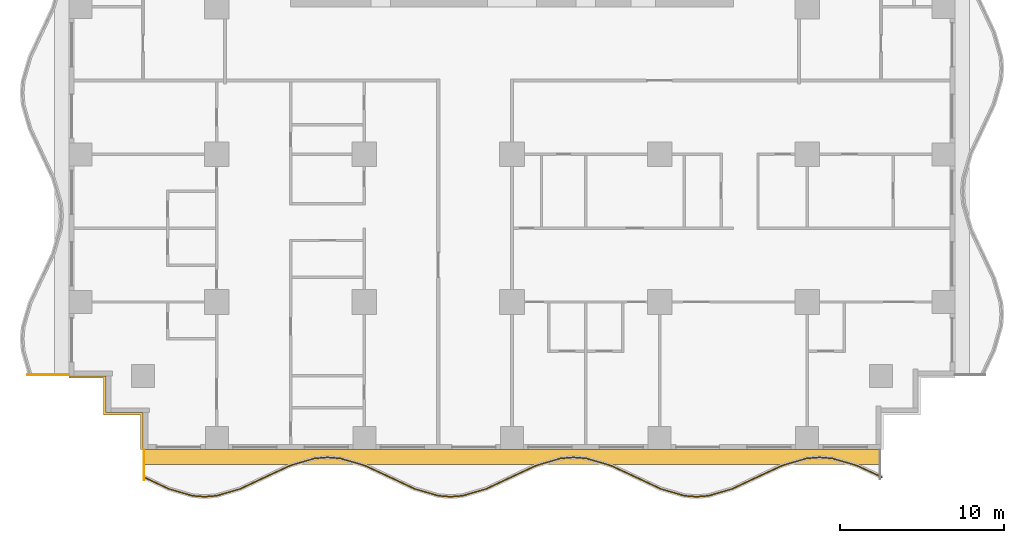
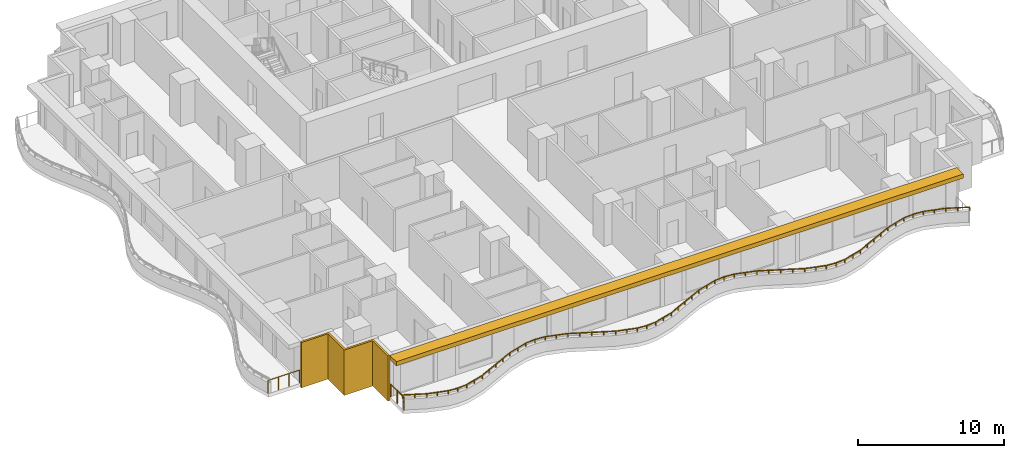
# One storey, part 8 of 14: 3 railings, 2 shading devices.
"""IFC4 building model written with IfcOpenShell, lengths in metres."""

from ifc_helpers import new_model, si_unit, direction, frame, origin, origin_2d, place, context, subcontext, project, spatial, polyline, rectangle, outline, extrude, material, layer, layer_set, type_object, element, save


model = new_model("IFC4")

# Units and contexts
model_context = context("Model", 3, precision=1e-05, world=origin(), true_north=direction((0.0, 1.0)))
body_context = subcontext(model_context, "Body", "Model", "MODEL_VIEW")
ifc_project = project(units=[si_unit("LENGTHUNIT", "METRE"), si_unit("AREAUNIT", "SQUARE_METRE"), si_unit("VOLUMEUNIT", "CUBIC_METRE"), si_unit("PLANEANGLEUNIT", "RADIAN"), si_unit("MASSUNIT", "GRAM", prefix="KILO")], contexts=[model_context])

# Site, building, storey
site_placement = place(None, origin())
site = spatial("IfcSite", under=ifc_project, at=site_placement, CompositionType="ELEMENT")
building_placement = place(site_placement, origin())
building = spatial("IfcBuilding", under=site, at=building_placement, Name="Orbiselva Terraces", CompositionType="ELEMENT")
storey_placement = place(building_placement, frame((0.0, 0.0, 45.4)))
storey = spatial("IfcBuildingStorey", under=building, at=storey_placement, Name="L11", CompositionType="ELEMENT", Elevation=45.4)

# Railings
ifc_material_1 = material(Name="Bonded two-ply safety glass balustrade, stainless steel posts", Category="steel")
railing_type_1 = type_object("IfcRailingType", Name="ENV-BALUSTRADE-1200", PredefinedType="BALUSTRADE", material=ifc_material_1)
railing_1_placement = place(storey_placement, frame((-22.446809, -24.186882, 0.9)))
element("IfcRailing", 1, at=railing_1_placement, inside=storey, type_object=railing_type_1, Name="Balcony balustrade L11 S", PredefinedType="BALUSTRADE", context=body_context, shape_type="SweptSolid", body=[
    extrude(outline(polyline([(0.028868, 0.0), (0.014434, 0.025), (-0.014434, 0.025), (-0.028868, 0.0), (-0.014434, -0.025), (0.014434, -0.025), (0.028868, 0.0)])), frame((0.0, 0.0, 0.275), z_axis=(0.904944359461, -0.425529912322, 0.0), x_axis=(0.425529912322, 0.904944359461, 0.0)), (0.0, 0.0, 1.0), 1.647746),
    extrude(outline(polyline([(0.028868, 0.0), (0.014434, 0.025), (-0.014434, 0.025), (-0.028868, 0.0), (-0.014434, -0.025), (0.014434, -0.025), (0.028868, 0.0)])), frame((1.491118, -0.701165, 0.275), z_axis=(0.960270317007, -0.279071528957, 0.0), x_axis=(0.279071528957, 0.960270317007, 0.0)), (0.0, 0.0, 1.0), 1.539408),
    extrude(outline(polyline([(0.028868, 0.0), (0.014434, 0.025), (-0.014434, 0.025), (-0.028868, 0.0), (-0.014434, -0.025), (0.014434, -0.025), (0.028868, 0.0)])), frame((2.969366, -1.13077, 0.275), z_axis=(0.996947916106, -0.078069536776, 0.0), x_axis=(0.078069536776, 0.996947916106, 0.0)), (0.0, 0.0, 1.0), 0.72967),
    extrude(outline(polyline([(0.028868, 0.0), (0.014434, 0.025), (-0.014434, 0.025), (-0.028868, 0.0), (-0.014434, -0.025), (0.014434, -0.025), (0.028868, 0.0)])), frame((3.696809, -1.187735, 0.275), z_axis=(0.996947916106, 0.078069536776, 0.0), x_axis=(-0.078069536776, 0.996947916106, 0.0)), (0.0, 0.0, 1.0), 0.72967),
    extrude(outline(polyline([(0.028868, 0.0), (0.014434, 0.025), (-0.014434, 0.025), (-0.028868, 0.0), (-0.014434, -0.025), (0.014434, -0.025), (0.028868, 0.0)])), frame((4.424252, -1.13077, 0.275), z_axis=(0.960270317007, 0.279071528957, 0.0), x_axis=(-0.279071528957, 0.960270317007, 0.0)), (0.0, 0.0, 1.0), 1.539408),
    extrude(outline(polyline([(0.028868, 0.0), (0.014434, 0.025), (-0.014434, 0.025), (-0.028868, 0.0), (-0.014434, -0.025), (0.014434, -0.025), (0.028868, 0.0)])), frame((5.9025, -0.701165, 0.275), z_axis=(0.904944359461, 0.425529912322, 0.0), x_axis=(-0.425529912322, 0.904944359461, 0.0)), (0.0, 0.0, 1.0), 1.647746),
    extrude(outline(polyline([(0.028868, 0.0), (0.014434, 0.025), (-0.014434, 0.025), (-0.028868, 0.0), (-0.014434, -0.025), (0.014434, -0.025), (0.028868, 0.0)])), frame((7.393618, 0.0, 0.275), z_axis=(0.904944157382, 0.425530342069, 0.0), x_axis=(-0.425530342069, 0.904944157382, 0.0)), (0.0, 0.0, 1.0), 1.667376),
    extrude(outline(polyline([(0.028868, 0.0), (0.014434, 0.025), (-0.014434, 0.025), (-0.028868, 0.0), (-0.014434, -0.025), (0.014434, -0.025), (0.028868, 0.0)])), frame((8.9025, 0.709519, 0.275), z_axis=(0.960270491427, 0.279070928786, 0.0), x_axis=(-0.279070928786, 0.960270491427, 0.0)), (0.0, 0.0, 1.0), 1.584712),
    extrude(outline(polyline([(0.028868, 0.0), (0.014434, 0.025), (-0.014434, 0.025), (-0.028868, 0.0), (-0.014434, -0.025), (0.014434, -0.025), (0.028868, 0.0)])), frame((10.424252, 1.151766, 0.275), z_axis=(0.996947796737, 0.078071061106, 0.0), x_axis=(-0.078071061106, 0.996947796737, 0.0)), (0.0, 0.0, 1.0), 0.774922),
    extrude(outline(polyline([(0.028868, 0.0), (0.014434, 0.025), (-0.014434, 0.025), (-0.028868, 0.0), (-0.014434, -0.025), (0.014434, -0.025), (0.028868, 0.0)])), frame((11.196809, 1.212265, 0.275), z_axis=(0.996947796737, -0.078071061106, 0.0), x_axis=(0.078071061106, 0.996947796737, 0.0)), (0.0, 0.0, 1.0), 0.774922),
    extrude(outline(polyline([(0.028868, 0.0), (0.014434, 0.025), (-0.014434, 0.025), (-0.028868, 0.0), (-0.014434, -0.025), (0.014434, -0.025), (0.028868, 0.0)])), frame((11.969366, 1.151766, 0.275), z_axis=(0.960270491427, -0.279070928786, 0.0), x_axis=(0.279070928786, 0.960270491427, 0.0)), (0.0, 0.0, 1.0), 1.584712),
    extrude(outline(polyline([(0.028868, 0.0), (0.014434, 0.025), (-0.014434, 0.025), (-0.028868, 0.0), (-0.014434, -0.025), (0.014434, -0.025), (0.028868, 0.0)])), frame((13.491118, 0.709519, 0.275), z_axis=(0.904944157382, -0.425530342069, 0.0), x_axis=(0.425530342069, 0.904944157382, 0.0)), (0.0, 0.0, 1.0), 1.667376),
    extrude(outline(polyline([(0.028868, 0.0), (0.014434, 0.025), (-0.014434, 0.025), (-0.028868, 0.0), (-0.014434, -0.025), (0.014434, -0.025), (0.028868, 0.0)])), frame((15.0, 0.0, 0.275), z_axis=(0.904944359461, -0.425529912322, 0.0), x_axis=(0.425529912322, 0.904944359461, 0.0)), (0.0, 0.0, 1.0), 1.647746),
    extrude(outline(polyline([(0.028868, 0.0), (0.014434, 0.025), (-0.014434, 0.025), (-0.028868, 0.0), (-0.014434, -0.025), (0.014434, -0.025), (0.028868, 0.0)])), frame((16.491118, -0.701165, 0.275), z_axis=(0.960270317007, -0.279071528957, 0.0), x_axis=(0.279071528957, 0.960270317007, 0.0)), (0.0, 0.0, 1.0), 1.539408),
    extrude(outline(polyline([(0.028868, 0.0), (0.014434, 0.025), (-0.014434, 0.025), (-0.028868, 0.0), (-0.014434, -0.025), (0.014434, -0.025), (0.028868, 0.0)])), frame((17.969366, -1.13077, 0.275), z_axis=(0.996947916106, -0.078069536776, 0.0), x_axis=(0.078069536776, 0.996947916106, 0.0)), (0.0, 0.0, 1.0), 0.72967),
    extrude(outline(polyline([(0.028868, 0.0), (0.014434, 0.025), (-0.014434, 0.025), (-0.028868, 0.0), (-0.014434, -0.025), (0.014434, -0.025), (0.028868, 0.0)])), frame((18.696809, -1.187735, 0.275), z_axis=(0.996947916106, 0.078069536776, 0.0), x_axis=(-0.078069536776, 0.996947916106, 0.0)), (0.0, 0.0, 1.0), 0.72967),
    extrude(outline(polyline([(0.028868, 0.0), (0.014434, 0.025), (-0.014434, 0.025), (-0.028868, 0.0), (-0.014434, -0.025), (0.014434, -0.025), (0.028868, 0.0)])), frame((19.424252, -1.13077, 0.275), z_axis=(0.960270317007, 0.279071528957, 0.0), x_axis=(-0.279071528957, 0.960270317007, 0.0)), (0.0, 0.0, 1.0), 1.539408),
    extrude(outline(polyline([(0.028868, 0.0), (0.014434, 0.025), (-0.014434, 0.025), (-0.028868, 0.0), (-0.014434, -0.025), (0.014434, -0.025), (0.028868, 0.0)])), frame((20.9025, -0.701165, 0.275), z_axis=(0.904944359461, 0.425529912322, 0.0), x_axis=(-0.425529912322, 0.904944359461, 0.0)), (0.0, 0.0, 1.0), 1.647746),
    extrude(outline(polyline([(0.028868, 0.0), (0.014434, 0.025), (-0.014434, 0.025), (-0.028868, 0.0), (-0.014434, -0.025), (0.014434, -0.025), (0.028868, 0.0)])), frame((22.393618, 0.0, 0.275), z_axis=(0.904944157382, 0.425530342069, 0.0), x_axis=(-0.425530342069, 0.904944157382, 0.0)), (0.0, 0.0, 1.0), 1.667376),
    extrude(outline(polyline([(0.028868, 0.0), (0.014434, 0.025), (-0.014434, 0.025), (-0.028868, 0.0), (-0.014434, -0.025), (0.014434, -0.025), (0.028868, 0.0)])), frame((23.9025, 0.709519, 0.275), z_axis=(0.960270491427, 0.279070928786, 0.0), x_axis=(-0.279070928786, 0.960270491427, 0.0)), (0.0, 0.0, 1.0), 1.584712),
    extrude(outline(polyline([(0.028868, 0.0), (0.014434, 0.025), (-0.014434, 0.025), (-0.028868, 0.0), (-0.014434, -0.025), (0.014434, -0.025), (0.028868, 0.0)])), frame((25.424252, 1.151766, 0.275), z_axis=(0.996947796737, 0.078071061106, 0.0), x_axis=(-0.078071061106, 0.996947796737, 0.0)), (0.0, 0.0, 1.0), 0.774922),
    extrude(outline(polyline([(0.028868, 0.0), (0.014434, 0.025), (-0.014434, 0.025), (-0.028868, 0.0), (-0.014434, -0.025), (0.014434, -0.025), (0.028868, 0.0)])), frame((26.196809, 1.212265, 0.275), z_axis=(0.996947796737, -0.078071061106, 0.0), x_axis=(0.078071061106, 0.996947796737, 0.0)), (0.0, 0.0, 1.0), 0.774922),
    extrude(outline(polyline([(0.028868, 0.0), (0.014434, 0.025), (-0.014434, 0.025), (-0.028868, 0.0), (-0.014434, -0.025), (0.014434, -0.025), (0.028868, 0.0)])), frame((26.969366, 1.151766, 0.275), z_axis=(0.960270491427, -0.279070928786, 0.0), x_axis=(0.279070928786, 0.960270491427, 0.0)), (0.0, 0.0, 1.0), 1.584712),
    extrude(outline(polyline([(0.028868, 0.0), (0.014434, 0.025), (-0.014434, 0.025), (-0.028868, 0.0), (-0.014434, -0.025), (0.014434, -0.025), (0.028868, 0.0)])), frame((28.491118, 0.709519, 0.275), z_axis=(0.904944157382, -0.425530342069, 0.0), x_axis=(0.425530342069, 0.904944157382, 0.0)), (0.0, 0.0, 1.0), 1.667376),
    extrude(outline(polyline([(0.028868, 0.0), (0.014434, 0.025), (-0.014434, 0.025), (-0.028868, 0.0), (-0.014434, -0.025), (0.014434, -0.025), (0.028868, 0.0)])), frame((30.0, 0.0, 0.275), z_axis=(0.904944359461, -0.425529912322, 0.0), x_axis=(0.425529912322, 0.904944359461, 0.0)), (0.0, 0.0, 1.0), 1.647746),
    extrude(outline(polyline([(0.028868, 0.0), (0.014434, 0.025), (-0.014434, 0.025), (-0.028868, 0.0), (-0.014434, -0.025), (0.014434, -0.025), (0.028868, 0.0)])), frame((31.491118, -0.701165, 0.275), z_axis=(0.960270317007, -0.279071528957, 0.0), x_axis=(0.279071528957, 0.960270317007, 0.0)), (0.0, 0.0, 1.0), 1.539408),
    extrude(outline(polyline([(0.028868, 0.0), (0.014434, 0.025), (-0.014434, 0.025), (-0.028868, 0.0), (-0.014434, -0.025), (0.014434, -0.025), (0.028868, 0.0)])), frame((32.969366, -1.13077, 0.275), z_axis=(0.996947916106, -0.078069536776, 0.0), x_axis=(0.078069536776, 0.996947916106, 0.0)), (0.0, 0.0, 1.0), 0.72967),
    extrude(outline(polyline([(0.028868, 0.0), (0.014434, 0.025), (-0.014434, 0.025), (-0.028868, 0.0), (-0.014434, -0.025), (0.014434, -0.025), (0.028868, 0.0)])), frame((33.696809, -1.187735, 0.275), z_axis=(0.996947916106, 0.078069536776, 0.0), x_axis=(-0.078069536776, 0.996947916106, 0.0)), (0.0, 0.0, 1.0), 0.72967),
    extrude(outline(polyline([(0.028868, 0.0), (0.014434, 0.025), (-0.014434, 0.025), (-0.028868, 0.0), (-0.014434, -0.025), (0.014434, -0.025), (0.028868, 0.0)])), frame((34.424252, -1.13077, 0.275), z_axis=(0.960270317007, 0.279071528957, 0.0), x_axis=(-0.279071528957, 0.960270317007, 0.0)), (0.0, 0.0, 1.0), 1.539408),
    extrude(outline(polyline([(0.028868, 0.0), (0.014434, 0.025), (-0.014434, 0.025), (-0.028868, 0.0), (-0.014434, -0.025), (0.014434, -0.025), (0.028868, 0.0)])), frame((35.9025, -0.701165, 0.275), z_axis=(0.904944359461, 0.425529912322, 0.0), x_axis=(-0.425529912322, 0.904944359461, 0.0)), (0.0, 0.0, 1.0), 1.647746),
    extrude(outline(polyline([(0.028868, 0.0), (0.014434, 0.025), (-0.014434, 0.025), (-0.028868, 0.0), (-0.014434, -0.025), (0.014434, -0.025), (0.028868, 0.0)])), frame((37.393618, 0.0, 0.275), z_axis=(0.904944157382, 0.425530342069, 0.0), x_axis=(-0.425530342069, 0.904944157382, 0.0)), (0.0, 0.0, 1.0), 1.667376),
    extrude(outline(polyline([(0.028868, 0.0), (0.014434, 0.025), (-0.014434, 0.025), (-0.028868, 0.0), (-0.014434, -0.025), (0.014434, -0.025), (0.028868, 0.0)])), frame((38.9025, 0.709519, 0.275), z_axis=(0.960270491427, 0.279070928786, 0.0), x_axis=(-0.279070928786, 0.960270491427, 0.0)), (0.0, 0.0, 1.0), 1.584712),
    extrude(outline(polyline([(0.028868, 0.0), (0.014434, 0.025), (-0.014434, 0.025), (-0.028868, 0.0), (-0.014434, -0.025), (0.014434, -0.025), (0.028868, 0.0)])), frame((40.424252, 1.151766, 0.275), z_axis=(0.996947796737, 0.078071061106, 0.0), x_axis=(-0.078071061106, 0.996947796737, 0.0)), (0.0, 0.0, 1.0), 0.774922),
    extrude(outline(polyline([(0.028868, 0.0), (0.014434, 0.025), (-0.014434, 0.025), (-0.028868, 0.0), (-0.014434, -0.025), (0.014434, -0.025), (0.028868, 0.0)])), frame((41.196809, 1.212265, 0.275), z_axis=(0.996947796737, -0.078071061106, 0.0), x_axis=(0.078071061106, 0.996947796737, 0.0)), (0.0, 0.0, 1.0), 0.774922),
    extrude(outline(polyline([(0.028868, 0.0), (0.014434, 0.025), (-0.014434, 0.025), (-0.028868, 0.0), (-0.014434, -0.025), (0.014434, -0.025), (0.028868, 0.0)])), frame((41.969366, 1.151766, 0.275), z_axis=(0.960270491427, -0.279070928786, 0.0), x_axis=(0.279070928786, 0.960270491427, 0.0)), (0.0, 0.0, 1.0), 1.584712),
    extrude(outline(polyline([(0.028868, 0.0), (0.014434, 0.025), (-0.014434, 0.025), (-0.028868, 0.0), (-0.014434, -0.025), (0.014434, -0.025), (0.028868, 0.0)])), frame((43.491118, 0.709519, 0.275), z_axis=(0.904944157382, -0.425530342069, 0.0), x_axis=(0.425530342069, 0.904944157382, 0.0)), (0.0, 0.0, 1.0), 1.667376),
    extrude(rectangle(XDim=0.05, YDim=0.05, at=origin_2d()), origin(), (0.0, 0.0, 1.0), 0.25),
    extrude(rectangle(XDim=0.05, YDim=0.05, at=origin_2d()), frame((0.745559, -0.350582, 0.0)), (0.0, 0.0, 1.0), 0.25),
    extrude(rectangle(XDim=0.05, YDim=0.05, at=origin_2d()), frame((1.491118, -0.701165, 0.0)), (0.0, 0.0, 1.0), 0.25),
    extrude(rectangle(XDim=0.05, YDim=0.05, at=origin_2d()), frame((2.230242, -0.915967, 0.0)), (0.0, 0.0, 1.0), 0.25),
    extrude(rectangle(XDim=0.05, YDim=0.05, at=origin_2d()), frame((2.969366, -1.13077, 0.0)), (0.0, 0.0, 1.0), 0.25),
    extrude(rectangle(XDim=0.05, YDim=0.05, at=origin_2d()), frame((3.696809, -1.187735, 0.0)), (0.0, 0.0, 1.0), 0.25),
    extrude(rectangle(XDim=0.05, YDim=0.05, at=origin_2d()), frame((4.424252, -1.13077, 0.0)), (0.0, 0.0, 1.0), 0.25),
    extrude(rectangle(XDim=0.05, YDim=0.05, at=origin_2d()), frame((5.163376, -0.915967, 0.0)), (0.0, 0.0, 1.0), 0.25),
    extrude(rectangle(XDim=0.05, YDim=0.05, at=origin_2d()), frame((5.9025, -0.701165, 0.0)), (0.0, 0.0, 1.0), 0.25),
    extrude(rectangle(XDim=0.05, YDim=0.05, at=origin_2d()), frame((6.648059, -0.350582, 0.0)), (0.0, 0.0, 1.0), 0.25),
    extrude(rectangle(XDim=0.05, YDim=0.05, at=origin_2d()), frame((7.393618, 0.0, 0.0)), (0.0, 0.0, 1.0), 0.25),
    extrude(rectangle(XDim=0.05, YDim=0.05, at=origin_2d()), frame((8.148059, 0.35476, 0.0)), (0.0, 0.0, 1.0), 0.25),
    extrude(rectangle(XDim=0.05, YDim=0.05, at=origin_2d()), frame((8.9025, 0.709519, 0.0)), (0.0, 0.0, 1.0), 0.25),
    extrude(rectangle(XDim=0.05, YDim=0.05, at=origin_2d()), frame((9.663376, 0.930643, 0.0)), (0.0, 0.0, 1.0), 0.25),
    extrude(rectangle(XDim=0.05, YDim=0.05, at=origin_2d()), frame((10.424252, 1.151766, 0.0)), (0.0, 0.0, 1.0), 0.25),
    extrude(rectangle(XDim=0.05, YDim=0.05, at=origin_2d()), frame((11.196809, 1.212265, 0.0)), (0.0, 0.0, 1.0), 0.25),
    extrude(rectangle(XDim=0.05, YDim=0.05, at=origin_2d()), frame((11.969366, 1.151766, 0.0)), (0.0, 0.0, 1.0), 0.25),
    extrude(rectangle(XDim=0.05, YDim=0.05, at=origin_2d()), frame((12.730242, 0.930643, 0.0)), (0.0, 0.0, 1.0), 0.25),
    extrude(rectangle(XDim=0.05, YDim=0.05, at=origin_2d()), frame((13.491118, 0.709519, 0.0)), (0.0, 0.0, 1.0), 0.25),
    extrude(rectangle(XDim=0.05, YDim=0.05, at=origin_2d()), frame((14.245559, 0.35476, 0.0)), (0.0, 0.0, 1.0), 0.25),
    extrude(rectangle(XDim=0.05, YDim=0.05, at=origin_2d()), frame((15.0, 0.0, 0.0)), (0.0, 0.0, 1.0), 0.25),
    extrude(rectangle(XDim=0.05, YDim=0.05, at=origin_2d()), frame((15.745559, -0.350582, 0.0)), (0.0, 0.0, 1.0), 0.25),
    extrude(rectangle(XDim=0.05, YDim=0.05, at=origin_2d()), frame((16.491118, -0.701165, 0.0)), (0.0, 0.0, 1.0), 0.25),
    extrude(rectangle(XDim=0.05, YDim=0.05, at=origin_2d()), frame((17.230242, -0.915967, 0.0)), (0.0, 0.0, 1.0), 0.25),
    extrude(rectangle(XDim=0.05, YDim=0.05, at=origin_2d()), frame((17.969366, -1.13077, 0.0)), (0.0, 0.0, 1.0), 0.25),
    extrude(rectangle(XDim=0.05, YDim=0.05, at=origin_2d()), frame((18.696809, -1.187735, 0.0)), (0.0, 0.0, 1.0), 0.25),
    extrude(rectangle(XDim=0.05, YDim=0.05, at=origin_2d()), frame((19.424252, -1.13077, 0.0)), (0.0, 0.0, 1.0), 0.25),
    extrude(rectangle(XDim=0.05, YDim=0.05, at=origin_2d()), frame((20.163376, -0.915967, 0.0)), (0.0, 0.0, 1.0), 0.25),
    extrude(rectangle(XDim=0.05, YDim=0.05, at=origin_2d()), frame((20.9025, -0.701165, 0.0)), (0.0, 0.0, 1.0), 0.25),
    extrude(rectangle(XDim=0.05, YDim=0.05, at=origin_2d()), frame((21.648059, -0.350582, 0.0)), (0.0, 0.0, 1.0), 0.25),
    extrude(rectangle(XDim=0.05, YDim=0.05, at=origin_2d()), frame((22.393618, 0.0, 0.0)), (0.0, 0.0, 1.0), 0.25),
    extrude(rectangle(XDim=0.05, YDim=0.05, at=origin_2d()), frame((23.148059, 0.35476, 0.0)), (0.0, 0.0, 1.0), 0.25),
    extrude(rectangle(XDim=0.05, YDim=0.05, at=origin_2d()), frame((23.9025, 0.709519, 0.0)), (0.0, 0.0, 1.0), 0.25),
    extrude(rectangle(XDim=0.05, YDim=0.05, at=origin_2d()), frame((24.663376, 0.930643, 0.0)), (0.0, 0.0, 1.0), 0.25),
    extrude(rectangle(XDim=0.05, YDim=0.05, at=origin_2d()), frame((25.424252, 1.151766, 0.0)), (0.0, 0.0, 1.0), 0.25),
    extrude(rectangle(XDim=0.05, YDim=0.05, at=origin_2d()), frame((26.196809, 1.212265, 0.0)), (0.0, 0.0, 1.0), 0.25),
    extrude(rectangle(XDim=0.05, YDim=0.05, at=origin_2d()), frame((26.969366, 1.151766, 0.0)), (0.0, 0.0, 1.0), 0.25),
    extrude(rectangle(XDim=0.05, YDim=0.05, at=origin_2d()), frame((27.730242, 0.930643, 0.0)), (0.0, 0.0, 1.0), 0.25),
    extrude(rectangle(XDim=0.05, YDim=0.05, at=origin_2d()), frame((28.491118, 0.709519, 0.0)), (0.0, 0.0, 1.0), 0.25),
    extrude(rectangle(XDim=0.05, YDim=0.05, at=origin_2d()), frame((29.245559, 0.35476, 0.0)), (0.0, 0.0, 1.0), 0.25),
    extrude(rectangle(XDim=0.05, YDim=0.05, at=origin_2d()), frame((30.0, 0.0, 0.0)), (0.0, 0.0, 1.0), 0.25),
    extrude(rectangle(XDim=0.05, YDim=0.05, at=origin_2d()), frame((30.745559, -0.350582, 0.0)), (0.0, 0.0, 1.0), 0.25),
    extrude(rectangle(XDim=0.05, YDim=0.05, at=origin_2d()), frame((31.491118, -0.701165, 0.0)), (0.0, 0.0, 1.0), 0.25),
    extrude(rectangle(XDim=0.05, YDim=0.05, at=origin_2d()), frame((32.230242, -0.915967, 0.0)), (0.0, 0.0, 1.0), 0.25),
    extrude(rectangle(XDim=0.05, YDim=0.05, at=origin_2d()), frame((32.969366, -1.13077, 0.0)), (0.0, 0.0, 1.0), 0.25),
    extrude(rectangle(XDim=0.05, YDim=0.05, at=origin_2d()), frame((33.696809, -1.187735, 0.0)), (0.0, 0.0, 1.0), 0.25),
    extrude(rectangle(XDim=0.05, YDim=0.05, at=origin_2d()), frame((34.424252, -1.13077, 0.0)), (0.0, 0.0, 1.0), 0.25),
    extrude(rectangle(XDim=0.05, YDim=0.05, at=origin_2d()), frame((35.163376, -0.915967, 0.0)), (0.0, 0.0, 1.0), 0.25),
    extrude(rectangle(XDim=0.05, YDim=0.05, at=origin_2d()), frame((35.9025, -0.701165, 0.0)), (0.0, 0.0, 1.0), 0.25),
    extrude(rectangle(XDim=0.05, YDim=0.05, at=origin_2d()), frame((36.648059, -0.350582, 0.0)), (0.0, 0.0, 1.0), 0.25),
    extrude(rectangle(XDim=0.05, YDim=0.05, at=origin_2d()), frame((37.393618, 0.0, 0.0)), (0.0, 0.0, 1.0), 0.25),
    extrude(rectangle(XDim=0.05, YDim=0.05, at=origin_2d()), frame((38.148059, 0.35476, 0.0)), (0.0, 0.0, 1.0), 0.25),
    extrude(rectangle(XDim=0.05, YDim=0.05, at=origin_2d()), frame((38.9025, 0.709519, 0.0)), (0.0, 0.0, 1.0), 0.25),
    extrude(rectangle(XDim=0.05, YDim=0.05, at=origin_2d()), frame((39.663376, 0.930643, 0.0)), (0.0, 0.0, 1.0), 0.25),
    extrude(rectangle(XDim=0.05, YDim=0.05, at=origin_2d()), frame((40.424252, 1.151766, 0.0)), (0.0, 0.0, 1.0), 0.25),
    extrude(rectangle(XDim=0.05, YDim=0.05, at=origin_2d()), frame((41.196809, 1.212265, 0.0)), (0.0, 0.0, 1.0), 0.25),
    extrude(rectangle(XDim=0.05, YDim=0.05, at=origin_2d()), frame((41.969366, 1.151766, 0.0)), (0.0, 0.0, 1.0), 0.25),
    extrude(rectangle(XDim=0.05, YDim=0.05, at=origin_2d()), frame((42.730242, 0.930643, 0.0)), (0.0, 0.0, 1.0), 0.25),
    extrude(rectangle(XDim=0.05, YDim=0.05, at=origin_2d()), frame((43.491118, 0.709519, 0.0)), (0.0, 0.0, 1.0), 0.25),
    extrude(rectangle(XDim=0.05, YDim=0.05, at=origin_2d()), frame((44.245559, 0.35476, 0.0)), (0.0, 0.0, 1.0), 0.25),
    extrude(rectangle(XDim=0.05, YDim=0.05, at=origin_2d()), frame((45.0, 0.0, 0.0)), (0.0, 0.0, 1.0), 0.25),
])
ifc_material_2 = material(Name="Stainless steel rail and posts", Category="steel")
railing_type_2 = type_object("IfcRailingType", Name="ENV-GUARD-1105", PredefinedType="BALUSTRADE", material=ifc_material_2)
railing_2_placement = place(storey_placement, frame((-22.44, -24.330156, 0.0)))
element("IfcRailing", 2, at=railing_2_placement, inside=storey, type_object=railing_type_2, Name="Balcony end guard L11 S", PredefinedType="BALUSTRADE", context=body_context, shape_type="SweptSolid", body=[
    extrude(outline(polyline([(0.028868, 0.0), (0.014434, 0.025), (-0.014434, 0.025), (-0.028868, 0.0), (-0.014434, -0.025), (0.014434, -0.025), (0.028868, 0.0)])), frame((0.0, 0.0, 1.08), z_axis=(0.0, 1.0, 0.0), x_axis=(-1.0, 0.0, 0.0)), (0.0, 0.0, 1.0), 1.805156),
    extrude(rectangle(XDim=0.05, YDim=0.05, at=origin_2d()), origin(), (0.0, 0.0, 1.0), 1.055),
    extrude(rectangle(XDim=0.05, YDim=0.05, at=origin_2d()), frame((0.0, 0.902578, 0.0)), (0.0, 0.0, 1.0), 1.055),
    extrude(rectangle(XDim=0.05, YDim=0.05, at=origin_2d()), frame((0.0, 1.805156, 0.0)), (0.0, 0.0, 1.0), 1.055),
])
railing_3_placement = place(storey_placement, frame((-29.529516, -17.94, 0.0)))
element("IfcRailing", 3, at=railing_3_placement, inside=storey, type_object=railing_type_2, Name="Balcony end guard L11 W", PredefinedType="BALUSTRADE", context=body_context, shape_type="SweptSolid", body=[
    extrude(outline(polyline([(0.028868, 0.0), (0.014434, 0.025), (-0.014434, 0.025), (-0.028868, 0.0), (-0.014434, -0.025), (0.014434, -0.025), (0.028868, 0.0)])), frame((0.0, 0.0, 1.08), z_axis=(1.0, 0.0, 0.0), x_axis=(0.0, 1.0, 0.0)), (0.0, 0.0, 1.0), 2.504516),
    extrude(rectangle(XDim=0.05, YDim=0.05, at=origin_2d()), origin(), (0.0, 0.0, 1.0), 1.055),
    extrude(rectangle(XDim=0.05, YDim=0.05, at=origin_2d()), frame((0.834839, 0.0, 0.0)), (0.0, 0.0, 1.0), 1.055),
    extrude(rectangle(XDim=0.05, YDim=0.05, at=origin_2d()), frame((1.669677, 0.0, 0.0)), (0.0, 0.0, 1.0), 1.055),
    extrude(rectangle(XDim=0.05, YDim=0.05, at=origin_2d()), frame((2.504516, 0.0, 0.0)), (0.0, 0.0, 1.0), 1.055),
])

# Shading devices
ifc_material_3 = material(Name="Terracotta louvre screen", Category="masonry")
ifc_layer_1 = layer(ifc_material_3, 0.15)
ifc_layer_set_1 = layer_set([ifc_layer_1], Name="Terracotta louvre screen")
shading_device_type_1 = type_object("IfcShadingDeviceType", Name="ENV-SCREEN-150", PredefinedType="USERDEFINED", material=ifc_layer_set_1)
shading_device_1_placement = place(storey_placement, frame((0.0, 0.0, -0.3)))
element("IfcShadingDevice", 4, at=shading_device_1_placement, inside=storey, type_object=shading_device_type_1, Name="Louvre screen L11 SW", ObjectType="SCREEN", PredefinedType="USERDEFINED", context=body_context, shape_type="SweptSolid", body=[
    extrude(outline(polyline([(-27.0, -18.15), (-24.9, -18.15), (-24.9, -20.4), (-22.65, -20.4), (-22.65, -22.5), (-22.5, -22.5), (-22.5, -20.25), (-24.75, -20.25), (-24.75, -18.0), (-27.0, -18.0), (-27.0, -18.15)])), origin(), (0.0, 0.0, 1.0), 3.8),
])
ifc_material_4 = material(Name="Terracotta baguette sunshade", Category="masonry")
ifc_layer_2 = layer(ifc_material_4, 0.35)
ifc_layer_set_2 = layer_set([ifc_layer_2], Name="Terracotta baguette sunshade")
shading_device_type_2 = type_object("IfcShadingDeviceType", Name="ENV-SUNSHADE-900x350", PredefinedType="USERDEFINED", material=ifc_layer_set_2)
shading_device_2_placement = place(storey_placement, frame((0.0, 0.0, 3.15)))
element("IfcShadingDevice", 5, at=shading_device_2_placement, inside=storey, type_object=shading_device_type_2, Name="Sunshade band L11 S", ObjectType="SUNSHADE", PredefinedType="USERDEFINED", context=body_context, shape_type="SweptSolid", body=[
    extrude(outline(polyline([(-22.5, -23.4), (22.5, -23.4), (22.5, -22.5), (-22.5, -22.5), (-22.5, -23.4)])), origin(), (0.0, 0.0, 1.0), 0.35),
])

save(model, "model.ifc")
